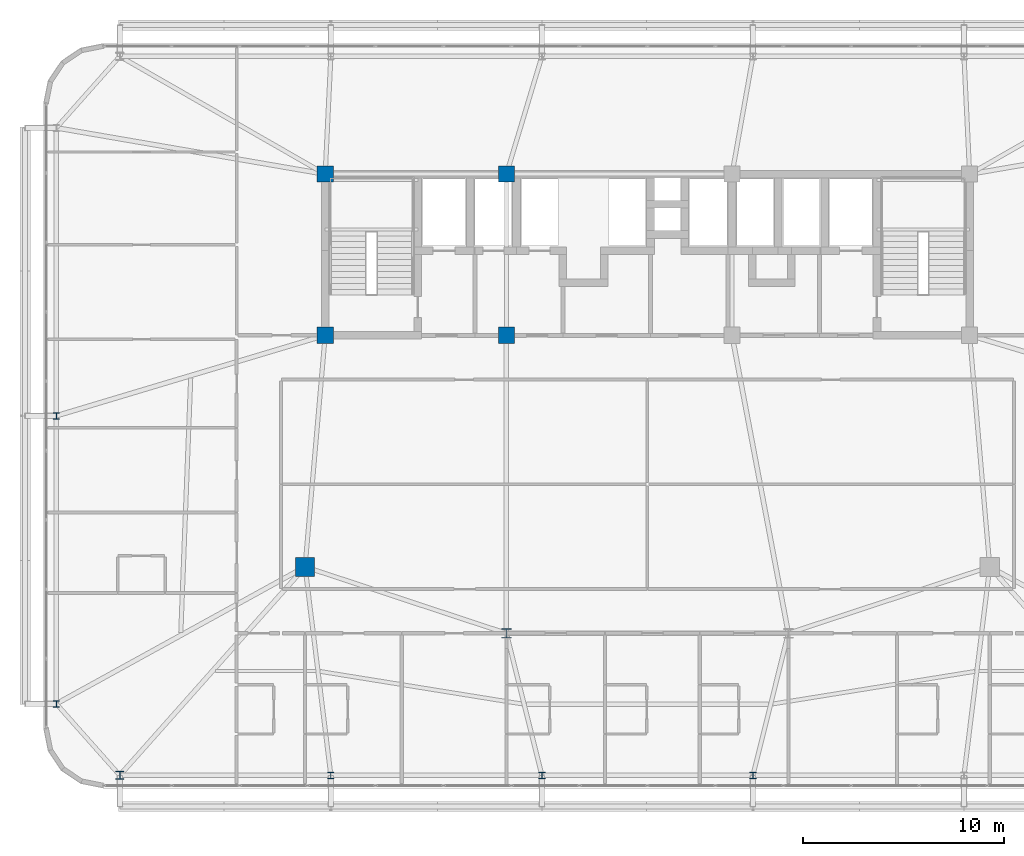
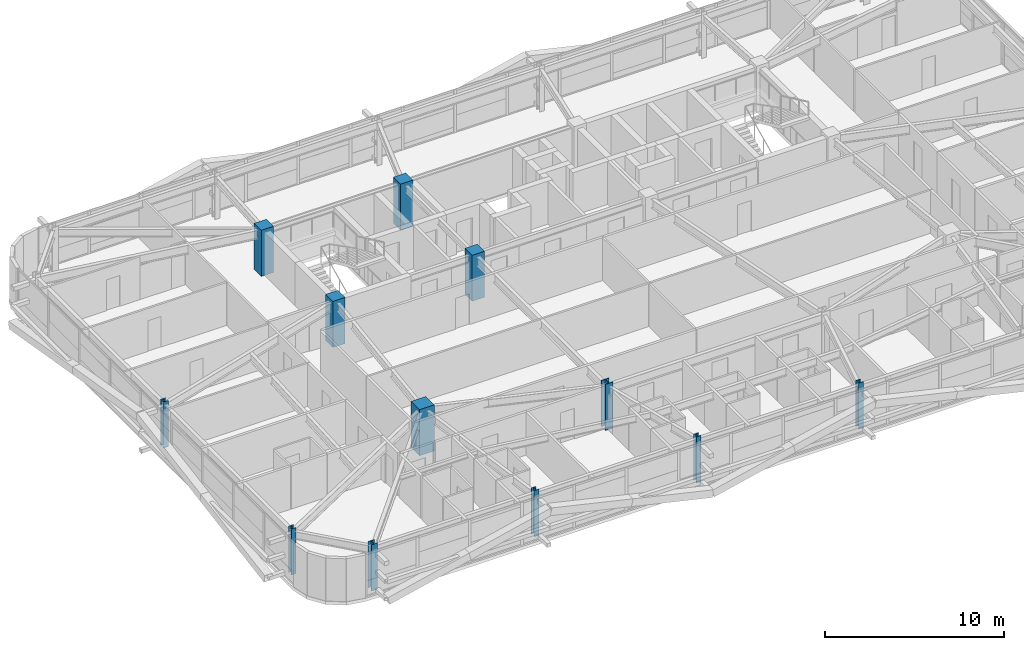
# One storey, part 1 of 59: 12 columns.
"""IFC4 building model written with IfcOpenShell, lengths in metres."""

from ifc_helpers import new_model, si_unit, direction, frame, origin, origin_2d, place, context, subcontext, project, spatial, rectangle, i_section, extrude, source, transform, mapped, material, material_profile, profile_set, type_object, element, save


model = new_model("IFC4")

# Units and contexts
model_context = context("Model", 3, precision=1e-05, world=origin(), true_north=direction((0.0, 1.0)))
body_context = subcontext(model_context, "Body", "Model", "MODEL_VIEW")
ifc_project = project(units=[si_unit("LENGTHUNIT", "METRE"), si_unit("AREAUNIT", "SQUARE_METRE"), si_unit("VOLUMEUNIT", "CUBIC_METRE"), si_unit("PLANEANGLEUNIT", "RADIAN"), si_unit("MASSUNIT", "GRAM", prefix="KILO")], contexts=[model_context])

# Site, building, storey
site_placement = place(None, origin())
site = spatial("IfcSite", under=ifc_project, at=site_placement, CompositionType="ELEMENT")
building_placement = place(site_placement, origin())
building = spatial("IfcBuilding", under=site, at=building_placement, Name="Taldren Reach Tower", CompositionType="ELEMENT")
storey_placement = place(building_placement, frame((0.0, 0.0, 23.10009765625)))
storey = spatial("IfcBuildingStorey", under=building, at=storey_placement, Name="L06", CompositionType="ELEMENT", Elevation=23.10009765625)

# Columns
ifc_material_1 = material(Name="Steel Gr 350 (350PLUS)", Category="steel")
ifc_material_profile_1 = material_profile(ifc_material_1, i_section(OverallWidth=0.5, OverallDepth=0.47998046875, WebThickness=0.028076171875, FlangeThickness=0.0439453125, at=origin_2d()), Name="500WC440")
ifc_profile_set_1 = profile_set([ifc_material_profile_1], Name="Steel Gr 350 (350PLUS)")
column_type_1 = type_object("IfcColumnType", Name="COL-WC500A", PredefinedType="COLUMN", material=ifc_profile_set_1)
shared_shape_1 = source(origin(), body_context, "Body", "SweptSolid", [
    extrude(i_section(OverallWidth=0.5, OverallDepth=0.47998046875, WebThickness=0.028076171875, FlangeThickness=0.0439453125, at=origin_2d()), origin(), (0.0, 0.0, 1.0), 3.14990234375),
])
column_1_placement = place(storey_placement, frame((28.0, 9.199951171875, 0.0), z_axis=(0.0, 0.0, 1.0), x_axis=(1.0, 0.0, 0.0)))
element("IfcColumn", 1, at=column_1_placement, inside=storey, type_object=column_type_1, Name="Mega column MC-PJW L06", PredefinedType="COLUMN", context=body_context, shape_type="MappedRepresentation", body=[
    mapped(shared_shape_1, transform((0.0, 0.0, 0.0), scale=1.0)),
])
ifc_material_2 = material(Name="Concrete S80 (80 MPa)", Category="concrete")
ifc_material_profile_2 = material_profile(ifc_material_2, rectangle(XDim=0.949951171875, YDim=0.949951171875, at=origin_2d()), Name="RC-950x950")
ifc_profile_set_2 = profile_set([ifc_material_profile_2], Name="Concrete S80 (80 MPa)")
column_type_2 = type_object("IfcColumnType", Name="COL-RC950", PredefinedType="COLUMN", material=ifc_profile_set_2)
shared_shape_2 = source(origin(), body_context, "Body", "SweptSolid", [
    extrude(rectangle(XDim=0.949951171875, YDim=0.949951171875, at=origin_2d()), origin(), (0.0, 0.0, 1.0), 3.14990234375),
])
column_2_placement = place(storey_placement, frame((18.0, 12.5, 0.0), z_axis=(0.0, 0.0, 1.0), x_axis=(1.0, 0.0, 0.0)))
element("IfcColumn", 2, at=column_2_placement, inside=storey, type_object=column_type_2, Name="Mega column MC-SW L06", PredefinedType="COLUMN", context=body_context, shape_type="MappedRepresentation", body=[
    mapped(shared_shape_2, transform((0.0, 0.0, 0.0), scale=1.0)),
])
ifc_material_profile_3 = material_profile(ifc_material_1, i_section(OverallWidth=0.39990234375, OverallDepth=0.39599609375, WebThickness=0.02197265625, FlangeThickness=0.033935546875, at=origin_2d()), Name="400WC270")
ifc_profile_set_3 = profile_set([ifc_material_profile_3], Name="Steel Gr 350 (350PLUS)")
column_type_3 = type_object("IfcColumnType", Name="COL-WC400", PredefinedType="COLUMN", material=ifc_profile_set_3)
shared_shape_3 = source(origin(), body_context, "Body", "SweptSolid", [
    extrude(i_section(OverallWidth=0.39990234375, OverallDepth=0.39599609375, WebThickness=0.02197265625, FlangeThickness=0.033935546875, at=origin_2d()), origin(), (0.0, 0.0, 1.0), 3.14990234375),
])
column_3_placement = place(storey_placement, frame((8.800048828125, 2.14990234375, 0.0), z_axis=(0.0, 0.0, 1.0), x_axis=(1.0, 0.0, 0.0)))
element("IfcColumn", 3, at=column_3_placement, inside=storey, type_object=column_type_3, Name="Block B1 perimeter column S1 L06", PredefinedType="COLUMN", context=body_context, shape_type="MappedRepresentation", body=[
    mapped(shared_shape_3, transform((0.0, 0.0, 0.0), scale=1.0)),
])
ifc_material_profile_4 = material_profile(ifc_material_1, i_section(OverallWidth=0.31103515625, OverallDepth=0.326904296875, WebThickness=0.015625, FlangeThickness=0.02490234375, at=origin_2d()), Name="310UC158")
ifc_profile_set_4 = profile_set([ifc_material_profile_4], Name="Steel Gr 350 (350PLUS)")
column_type_4 = type_object("IfcColumnType", Name="COL-UC310A", PredefinedType="COLUMN", material=ifc_profile_set_4)
shared_shape_4 = source(origin(), body_context, "Body", "SweptSolid", [
    extrude(i_section(OverallWidth=0.31103515625, OverallDepth=0.326904296875, WebThickness=0.015625, FlangeThickness=0.02490234375, at=origin_2d()), origin(), (0.0, 0.0, 1.0), 3.14990234375),
])
for number, where, z_axis, x_axis, name in (
    (4, (19.280029296875, 2.14990234375, 0.0), (0.0, 0.0, 1.0), (1.0, 0.0, 0.0), "Block B1 perimeter column S2 L06"),
    (5, (29.760009765625, 2.14990234375, 0.0), (0.0, 0.0, 1.0), (1.0, 0.0, 0.0), "Block B1 perimeter column S3 L06"),
    (6, (40.239990234375, 2.14990234375, 0.0), (0.0, 0.0, 1.0), (1.0, 0.0, 0.0), "Block B1 perimeter column S4 L06"),
    (7, (5.64990234375, 5.699951171875, 0.0), (0.0, 0.0, 1.0), (1.0, 0.0, 0.0), "Block B1 perimeter column W1 L06"),
    (8, (5.64990234375, 20.0, 0.0), (0.0, 0.0, 1.0), (1.0, 0.0, 0.0), "Block B1 perimeter column W2 L06"),
):
    element("IfcColumn", number, at=place(storey_placement, frame(where, z_axis=z_axis, x_axis=x_axis)), inside=storey, type_object=column_type_4, Name=name, PredefinedType="COLUMN", context=body_context, shape_type="MappedRepresentation", body=[
        mapped(shared_shape_4, transform((0.0, 0.0, 0.0), scale=1.0)),
    ])
ifc_material_3 = material(Name="Concrete S65 (65 MPa)", Category="concrete")
ifc_material_profile_5 = material_profile(ifc_material_3, rectangle(XDim=0.800048828125, YDim=0.800048828125, at=origin_2d()), Name="RC-800x800")
ifc_profile_set_5 = profile_set([ifc_material_profile_5], Name="Concrete S65 (65 MPa)")
column_type_5 = type_object("IfcColumnType", Name="COL-RC800", PredefinedType="COLUMN", material=ifc_profile_set_5)
shared_shape_5 = source(origin(), body_context, "Body", "SweptSolid", [
    extrude(rectangle(XDim=0.800048828125, YDim=0.800048828125, at=origin_2d()), origin(), (0.0, 0.0, 1.0), 3.14990234375),
])
for number, where, z_axis, x_axis, name in (
    (9, (19.0, 24.0, 0.0), (0.0, 0.0, 1.0), (1.0, 0.0, 0.0), "Mega column MC-C1 L06"),
    (10, (28.0, 24.0, 0.0), (0.0, 0.0, 1.0), (1.0, 0.0, 0.0), "Mega column MC-C2 L06"),
    (11, (19.0, 32.0, 0.0), (0.0, 0.0, 1.0), (1.0, 0.0, 0.0), "Mega column MC-C5 L06"),
    (12, (28.0, 32.0, 0.0), (0.0, 0.0, 1.0), (1.0, 0.0, 0.0), "Mega column MC-C6 L06"),
):
    element("IfcColumn", number, at=place(storey_placement, frame(where, z_axis=z_axis, x_axis=x_axis)), inside=storey, type_object=column_type_5, Name=name, PredefinedType="COLUMN", context=body_context, shape_type="MappedRepresentation", body=[
        mapped(shared_shape_5, transform((0.0, 0.0, 0.0), scale=1.0)),
    ])

save(model, "model.ifc")
